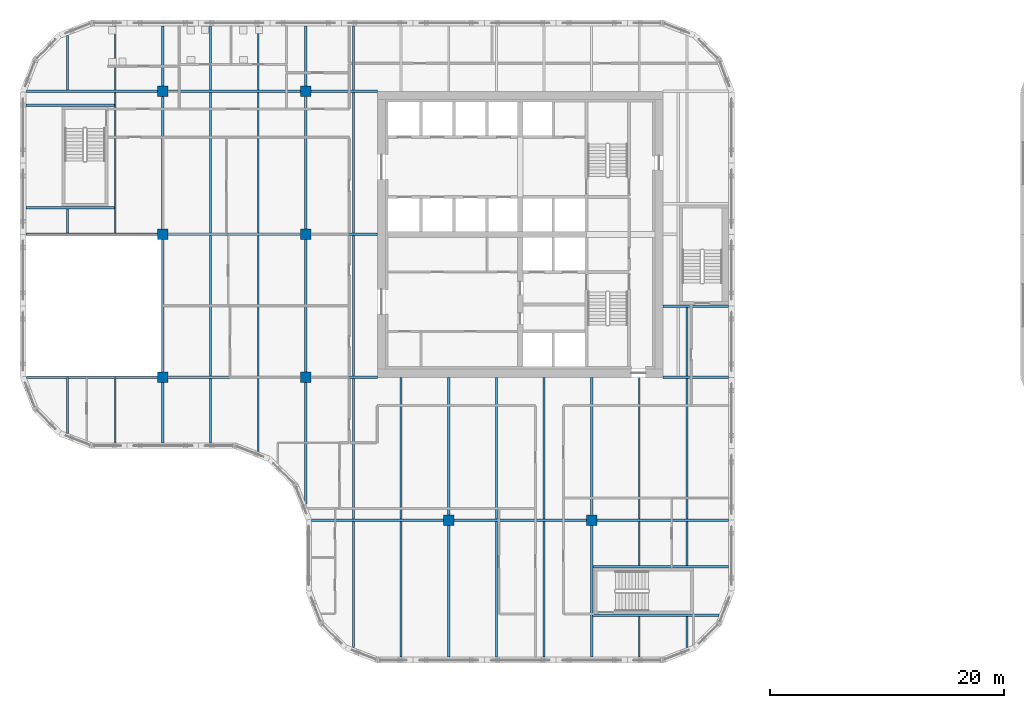
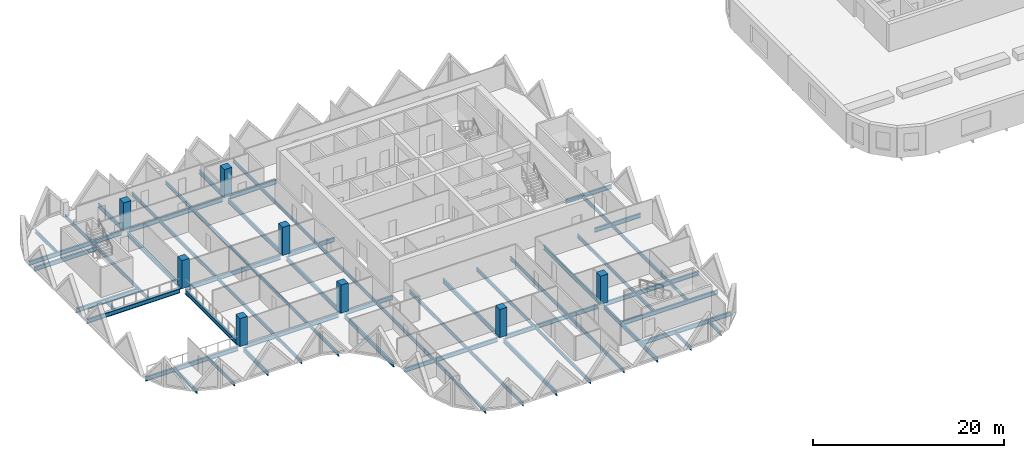
# One storey, part 1 of 17: 62 beams, 8 columns.
"""IFC4 building model written with IfcOpenShell, lengths in metres."""

from ifc_helpers import new_model, si_unit, direction, frame, origin, origin_2d, place, context, subcontext, project, spatial, rectangle, i_section, extrude, material, material_profile, profile_set, type_object, element, save


model = new_model("IFC4")

# Units and contexts
model_context = context("Model", 3, precision=1e-05, world=origin(), true_north=direction((0.0, 1.0)))
body_context = subcontext(model_context, "Body", "Model", "MODEL_VIEW")
ifc_project = project(units=[si_unit("LENGTHUNIT", "METRE"), si_unit("AREAUNIT", "SQUARE_METRE"), si_unit("VOLUMEUNIT", "CUBIC_METRE"), si_unit("PLANEANGLEUNIT", "RADIAN"), si_unit("MASSUNIT", "GRAM", prefix="KILO")], contexts=[model_context])

# Site, building, storey
site_placement = place(None, origin())
site = spatial("IfcSite", under=ifc_project, at=site_placement, CompositionType="ELEMENT")
building_placement = place(site_placement, origin())
building = spatial("IfcBuilding", under=site, at=building_placement, Name="Tessera Gate Towers", CompositionType="ELEMENT")
storey_placement = place(building_placement, frame((0.0, 0.0, 112.60009765625)))
storey = spatial("IfcBuildingStorey", under=building, at=storey_placement, Name="L27", CompositionType="ELEMENT", Elevation=112.60009765625)

# Columns
ifc_material_1 = material(Name="Concrete C70/85", Category="concrete")
ifc_material_profile_1 = material_profile(ifc_material_1, rectangle(XDim=0.89990234375, YDim=0.89990234375, at=origin_2d()), Name="RC 900x900")
ifc_profile_set_1 = profile_set([ifc_material_profile_1], Name="Concrete C70/85")
column_type = type_object("IfcColumnType", Name="COLUMN RC 900x900", PredefinedType="COLUMN", material=ifc_profile_set_1)
for number, where, z_axis, x_axis, name in (
    (1, (12.199951171875, 24.39990234375, 0.0), (0.0, 0.0, 1.0), (1.0, 0.0, 0.0), "T1-COL-2C-L27"),
    (2, (12.199951171875, 36.60009765625, 0.0), (0.0, 0.0, 1.0), (1.0, 0.0, 0.0), "T1-COL-2D-L27"),
    (3, (12.199951171875, 48.800048828125, 0.0), (0.0, 0.0, 1.0), (1.0, 0.0, 0.0), "T1-COL-2E-L27"),
    (4, (24.39990234375, 24.39990234375, 0.0), (0.0, 0.0, 1.0), (1.0, 0.0, 0.0), "T1-COL-3C-L27"),
    (5, (24.39990234375, 36.60009765625, 0.0), (0.0, 0.0, 1.0), (1.0, 0.0, 0.0), "T1-COL-3D-L27"),
    (6, (24.39990234375, 48.800048828125, 0.0), (0.0, 0.0, 1.0), (1.0, 0.0, 0.0), "T1-COL-3E-L27"),
    (7, (36.60009765625, 12.199951171875, 0.0), (0.0, 0.0, 1.0), (1.0, 0.0, 0.0), "T1-COL-4B-L27"),
    (8, (48.800048828125, 12.199951171875, 0.0), (0.0, 0.0, 1.0), (1.0, 0.0, 0.0), "T1-COL-5B-L27"),
):
    element("IfcColumn", number, at=place(storey_placement, frame(where, z_axis=z_axis, x_axis=x_axis)), inside=storey, type_object=column_type, Name=name, PredefinedType="COLUMN", context=body_context, shape_type="SweptSolid", body=[
        extrude(rectangle(XDim=0.89990234375, YDim=0.89990234375, at=origin_2d()), origin(), (0.0, 0.0, 1.0), 3.599853515625),
    ])

# Beams
ifc_material_2 = material(Name="Steel 350W", Category="steel")
ifc_material_profile_2 = material_profile(ifc_material_2, i_section(OverallWidth=0.208984375, OverallDepth=0.532958984375, WebThickness=0.01025390625, FlangeThickness=0.015625, at=origin_2d()), Name="W530x92")
ifc_profile_set_2 = profile_set([ifc_material_profile_2], Name="Steel 350W")
beam_type_1 = type_object("IfcBeamType", Name="FLOOR GIRDER W530x92", PredefinedType="BEAM", material=ifc_profile_set_2)
beam_1_placement = place(storey_placement, frame((24.89892578125, 12.199951171875, -0.466552734375), z_axis=(1.0, 0.0, 0.0), x_axis=(0.0, 1.0, 0.0)))
element("IfcBeam", 9, at=beam_1_placement, inside=storey, type_object=beam_type_1, Name="T1-GD-L27-3519", PredefinedType="BEAM", context=body_context, shape_type="SweptSolid", body=[
    extrude(i_section(OverallWidth=0.208984375, OverallDepth=0.532958984375, WebThickness=0.01025390625, FlangeThickness=0.015625, at=origin_2d()), origin(), (0.0, 0.0, 1.0), 11.2509765625),
])
beam_2_placement = place(storey_placement, frame((37.050048828125, 12.199951171875, -0.466552734375), z_axis=(1.0, 0.0, 0.0), x_axis=(0.0, 1.0, 0.0)))
element("IfcBeam", 10, at=beam_2_placement, inside=storey, type_object=beam_type_1, Name="T1-GD-L27-3520", PredefinedType="BEAM", context=body_context, shape_type="SweptSolid", body=[
    extrude(i_section(OverallWidth=0.208984375, OverallDepth=0.532958984375, WebThickness=0.01025390625, FlangeThickness=0.015625, at=origin_2d()), origin(), (0.0, 0.0, 1.0), 11.300048828125),
])
beam_3_placement = place(storey_placement, frame((49.25, 12.199951171875, -0.466552734375), z_axis=(1.0, 0.0, 0.0), x_axis=(0.0, 1.0, 0.0)))
element("IfcBeam", 11, at=beam_3_placement, inside=storey, type_object=beam_type_1, Name="T1-GD-L27-3521", PredefinedType="BEAM", context=body_context, shape_type="SweptSolid", body=[
    extrude(i_section(OverallWidth=0.208984375, OverallDepth=0.532958984375, WebThickness=0.01025390625, FlangeThickness=0.015625, at=origin_2d()), origin(), (0.0, 0.0, 1.0), 11.2509765625),
])
beam_4_placement = place(storey_placement, frame((0.534912109375, 24.39990234375, -0.466552734375), z_axis=(1.0, 0.0, 0.0), x_axis=(0.0, 1.0, 0.0)))
element("IfcBeam", 12, at=beam_4_placement, inside=storey, type_object=beam_type_1, Name="T1-GD-L27-3522", PredefinedType="BEAM", context=body_context, shape_type="SweptSolid", body=[
    extrude(i_section(OverallWidth=0.208984375, OverallDepth=0.532958984375, WebThickness=0.01025390625, FlangeThickness=0.015625, at=origin_2d()), origin(), (0.0, 0.0, 1.0), 11.215087890625),
])
beam_5_placement = place(storey_placement, frame((12.64990234375, 24.39990234375, -0.466552734375), z_axis=(1.0, 0.0, 0.0), x_axis=(0.0, 1.0, 0.0)))
element("IfcBeam", 13, at=beam_5_placement, inside=storey, type_object=beam_type_1, Name="T1-GD-L27-3523", PredefinedType="BEAM", context=body_context, shape_type="SweptSolid", body=[
    extrude(i_section(OverallWidth=0.208984375, OverallDepth=0.532958984375, WebThickness=0.01025390625, FlangeThickness=0.015625, at=origin_2d()), origin(), (0.0, 0.0, 1.0), 11.300048828125),
])
beam_6_placement = place(storey_placement, frame((24.85009765625, 24.39990234375, -0.466552734375), z_axis=(1.0, 0.0, 0.0), x_axis=(0.0, 1.0, 0.0)))
element("IfcBeam", 14, at=beam_6_placement, inside=storey, type_object=beam_type_1, Name="T1-GD-L27-3524", PredefinedType="BEAM", context=body_context, shape_type="SweptSolid", body=[
    extrude(i_section(OverallWidth=0.208984375, OverallDepth=0.532958984375, WebThickness=0.01025390625, FlangeThickness=0.015625, at=origin_2d()), origin(), (0.0, 0.0, 1.0), 5.64892578125),
])
beam_7_placement = place(storey_placement, frame((54.90087890625, 24.39990234375, -0.466552734375), z_axis=(1.0, 0.0, 0.0), x_axis=(0.0, 1.0, 0.0)))
element("IfcBeam", 15, at=beam_7_placement, inside=storey, type_object=beam_type_1, Name="T1-GD-L27-3525", PredefinedType="BEAM", context=body_context, shape_type="SweptSolid", body=[
    extrude(i_section(OverallWidth=0.208984375, OverallDepth=0.532958984375, WebThickness=0.01025390625, FlangeThickness=0.015625, at=origin_2d()), origin(), (0.0, 0.0, 1.0), 5.60009765625),
])
beam_8_placement = place(storey_placement, frame((0.4990234375, 36.60009765625, -0.466552734375), z_axis=(1.0, 0.0, 0.0), x_axis=(0.0, 1.0, 0.0)))
element("IfcBeam", 16, at=beam_8_placement, inside=storey, type_object=beam_type_1, Name="T1-GD-L27-3526", PredefinedType="BEAM", context=body_context, shape_type="SweptSolid", body=[
    extrude(i_section(OverallWidth=0.208984375, OverallDepth=0.532958984375, WebThickness=0.01025390625, FlangeThickness=0.015625, at=origin_2d()), origin(), (0.0, 0.0, 1.0), 11.2509765625),
])
beam_9_placement = place(storey_placement, frame((12.64990234375, 36.60009765625, -0.466552734375), z_axis=(1.0, 0.0, 0.0), x_axis=(0.0, 1.0, 0.0)))
element("IfcBeam", 17, at=beam_9_placement, inside=storey, type_object=beam_type_1, Name="T1-GD-L27-3527", PredefinedType="BEAM", context=body_context, shape_type="SweptSolid", body=[
    extrude(i_section(OverallWidth=0.208984375, OverallDepth=0.532958984375, WebThickness=0.01025390625, FlangeThickness=0.015625, at=origin_2d()), origin(), (0.0, 0.0, 1.0), 11.300048828125),
])
beam_10_placement = place(storey_placement, frame((24.85009765625, 36.60009765625, -0.466552734375), z_axis=(1.0, 0.0, 0.0), x_axis=(0.0, 1.0, 0.0)))
element("IfcBeam", 18, at=beam_10_placement, inside=storey, type_object=beam_type_1, Name="T1-GD-L27-3528", PredefinedType="BEAM", context=body_context, shape_type="SweptSolid", body=[
    extrude(i_section(OverallWidth=0.208984375, OverallDepth=0.532958984375, WebThickness=0.01025390625, FlangeThickness=0.015625, at=origin_2d()), origin(), (0.0, 0.0, 1.0), 5.65087890625),
])
beam_11_placement = place(storey_placement, frame((0.534912109375, 48.800048828125, -0.466552734375), z_axis=(1.0, 0.0, 0.0), x_axis=(0.0, 1.0, 0.0)))
element("IfcBeam", 19, at=beam_11_placement, inside=storey, type_object=beam_type_1, Name="T1-GD-L27-3530", PredefinedType="BEAM", context=body_context, shape_type="SweptSolid", body=[
    extrude(i_section(OverallWidth=0.208984375, OverallDepth=0.532958984375, WebThickness=0.01025390625, FlangeThickness=0.015625, at=origin_2d()), origin(), (0.0, 0.0, 1.0), 11.215087890625),
])
beam_12_placement = place(storey_placement, frame((12.64990234375, 48.800048828125, -0.466552734375), z_axis=(1.0, 0.0, 0.0), x_axis=(0.0, 1.0, 0.0)))
element("IfcBeam", 20, at=beam_12_placement, inside=storey, type_object=beam_type_1, Name="T1-GD-L27-3531", PredefinedType="BEAM", context=body_context, shape_type="SweptSolid", body=[
    extrude(i_section(OverallWidth=0.208984375, OverallDepth=0.532958984375, WebThickness=0.01025390625, FlangeThickness=0.015625, at=origin_2d()), origin(), (0.0, 0.0, 1.0), 11.300048828125),
])
beam_13_placement = place(storey_placement, frame((24.85009765625, 48.800048828125, -0.466552734375), z_axis=(1.0, 0.0, 0.0), x_axis=(0.0, 1.0, 0.0)))
element("IfcBeam", 21, at=beam_13_placement, inside=storey, type_object=beam_type_1, Name="T1-GD-L27-3532", PredefinedType="BEAM", context=body_context, shape_type="SweptSolid", body=[
    extrude(i_section(OverallWidth=0.208984375, OverallDepth=0.532958984375, WebThickness=0.01025390625, FlangeThickness=0.015625, at=origin_2d()), origin(), (0.0, 0.0, 1.0), 5.64892578125),
])
beam_14_placement = place(storey_placement, frame((12.199951171875, 18.799072265625, -0.466552734375), z_axis=(0.0, 1.0, 0.0), x_axis=(-1.0, 0.0, 0.0)))
element("IfcBeam", 22, at=beam_14_placement, inside=storey, type_object=beam_type_1, Name="T1-GD-L27-3534", PredefinedType="BEAM", context=body_context, shape_type="SweptSolid", body=[
    extrude(i_section(OverallWidth=0.208984375, OverallDepth=0.532958984375, WebThickness=0.01025390625, FlangeThickness=0.015625, at=origin_2d()), origin(), (0.0, 0.0, 1.0), 5.15087890625),
])
beam_15_placement = place(storey_placement, frame((12.199951171875, 24.85009765625, -0.466552734375), z_axis=(0.0, 1.0, 0.0), x_axis=(-1.0, 0.0, 0.0)))
element("IfcBeam", 23, at=beam_15_placement, inside=storey, type_object=beam_type_1, Name="T1-GD-L27-3535", PredefinedType="BEAM", context=body_context, shape_type="SweptSolid", body=[
    extrude(i_section(OverallWidth=0.208984375, OverallDepth=0.532958984375, WebThickness=0.01025390625, FlangeThickness=0.015625, at=origin_2d()), origin(), (0.0, 0.0, 1.0), 11.2998046875),
])
beam_16_placement = place(storey_placement, frame((12.199951171875, 37.050048828125, -0.466552734375), z_axis=(0.0, 1.0, 0.0), x_axis=(-1.0, 0.0, 0.0)))
element("IfcBeam", 24, at=beam_16_placement, inside=storey, type_object=beam_type_1, Name="T1-GD-L27-3536", PredefinedType="BEAM", context=body_context, shape_type="SweptSolid", body=[
    extrude(i_section(OverallWidth=0.208984375, OverallDepth=0.532958984375, WebThickness=0.01025390625, FlangeThickness=0.015625, at=origin_2d()), origin(), (0.0, 0.0, 1.0), 11.300048828125),
])
beam_17_placement = place(storey_placement, frame((12.199951171875, 49.25, -0.466552734375), z_axis=(0.0, 1.0, 0.0), x_axis=(-1.0, 0.0, 0.0)))
element("IfcBeam", 25, at=beam_17_placement, inside=storey, type_object=beam_type_1, Name="T1-GD-L27-3537", PredefinedType="BEAM", context=body_context, shape_type="SweptSolid", body=[
    extrude(i_section(OverallWidth=0.208984375, OverallDepth=0.532958984375, WebThickness=0.01025390625, FlangeThickness=0.015625, at=origin_2d()), origin(), (0.0, 0.0, 1.0), 5.15087890625),
])
beam_18_placement = place(storey_placement, frame((24.39990234375, 13.58642578125, -0.466552734375), z_axis=(0.0, 1.0, 0.0), x_axis=(-1.0, 0.0, 0.0)))
element("IfcBeam", 26, at=beam_18_placement, inside=storey, type_object=beam_type_1, Name="T1-GD-L27-3538", PredefinedType="BEAM", context=body_context, shape_type="SweptSolid", body=[
    extrude(i_section(OverallWidth=0.208984375, OverallDepth=0.532958984375, WebThickness=0.01025390625, FlangeThickness=0.015625, at=origin_2d()), origin(), (0.0, 0.0, 1.0), 10.363525390625),
])
beam_19_placement = place(storey_placement, frame((24.39990234375, 24.85009765625, -0.466552734375), z_axis=(0.0, 1.0, 0.0), x_axis=(-1.0, 0.0, 0.0)))
element("IfcBeam", 27, at=beam_19_placement, inside=storey, type_object=beam_type_1, Name="T1-GD-L27-3539", PredefinedType="BEAM", context=body_context, shape_type="SweptSolid", body=[
    extrude(i_section(OverallWidth=0.208984375, OverallDepth=0.532958984375, WebThickness=0.01025390625, FlangeThickness=0.015625, at=origin_2d()), origin(), (0.0, 0.0, 1.0), 11.2998046875),
])
beam_20_placement = place(storey_placement, frame((24.39990234375, 37.050048828125, -0.466552734375), z_axis=(0.0, 1.0, 0.0), x_axis=(-1.0, 0.0, 0.0)))
element("IfcBeam", 28, at=beam_20_placement, inside=storey, type_object=beam_type_1, Name="T1-GD-L27-3540", PredefinedType="BEAM", context=body_context, shape_type="SweptSolid", body=[
    extrude(i_section(OverallWidth=0.208984375, OverallDepth=0.532958984375, WebThickness=0.01025390625, FlangeThickness=0.015625, at=origin_2d()), origin(), (0.0, 0.0, 1.0), 11.300048828125),
])
beam_21_placement = place(storey_placement, frame((24.39990234375, 49.25, -0.466552734375), z_axis=(0.0, 1.0, 0.0), x_axis=(-1.0, 0.0, 0.0)))
element("IfcBeam", 29, at=beam_21_placement, inside=storey, type_object=beam_type_1, Name="T1-GD-L27-3541", PredefinedType="BEAM", context=body_context, shape_type="SweptSolid", body=[
    extrude(i_section(OverallWidth=0.208984375, OverallDepth=0.532958984375, WebThickness=0.01025390625, FlangeThickness=0.015625, at=origin_2d()), origin(), (0.0, 0.0, 1.0), 5.15087890625),
])
beam_22_placement = place(storey_placement, frame((36.60009765625, 0.4990234375, -0.466552734375), z_axis=(0.0, 1.0, 0.0), x_axis=(-1.0, 0.0, 0.0)))
element("IfcBeam", 30, at=beam_22_placement, inside=storey, type_object=beam_type_1, Name="T1-GD-L27-3542", PredefinedType="BEAM", context=body_context, shape_type="SweptSolid", body=[
    extrude(i_section(OverallWidth=0.208984375, OverallDepth=0.532958984375, WebThickness=0.01025390625, FlangeThickness=0.015625, at=origin_2d()), origin(), (0.0, 0.0, 1.0), 11.2509765625),
])
beam_23_placement = place(storey_placement, frame((36.60009765625, 12.64990234375, -0.466552734375), z_axis=(0.0, 1.0, 0.0), x_axis=(-1.0, 0.0, 0.0)))
element("IfcBeam", 31, at=beam_23_placement, inside=storey, type_object=beam_type_1, Name="T1-GD-L27-3543", PredefinedType="BEAM", context=body_context, shape_type="SweptSolid", body=[
    extrude(i_section(OverallWidth=0.208984375, OverallDepth=0.532958984375, WebThickness=0.01025390625, FlangeThickness=0.015625, at=origin_2d()), origin(), (0.0, 0.0, 1.0), 11.75),
])
beam_24_placement = place(storey_placement, frame((48.800048828125, 0.4990234375, -0.466552734375), z_axis=(0.0, 1.0, 0.0), x_axis=(-1.0, 0.0, 0.0)))
element("IfcBeam", 32, at=beam_24_placement, inside=storey, type_object=beam_type_1, Name="T1-GD-L27-3544", PredefinedType="BEAM", context=body_context, shape_type="SweptSolid", body=[
    extrude(i_section(OverallWidth=0.208984375, OverallDepth=0.532958984375, WebThickness=0.01025390625, FlangeThickness=0.015625, at=origin_2d()), origin(), (0.0, 0.0, 1.0), 11.2509765625),
])
beam_25_placement = place(storey_placement, frame((48.800048828125, 12.64990234375, -0.466552734375), z_axis=(0.0, 1.0, 0.0), x_axis=(-1.0, 0.0, 0.0)))
element("IfcBeam", 33, at=beam_25_placement, inside=storey, type_object=beam_type_1, Name="T1-GD-L27-3545", PredefinedType="BEAM", context=body_context, shape_type="SweptSolid", body=[
    extrude(i_section(OverallWidth=0.208984375, OverallDepth=0.532958984375, WebThickness=0.01025390625, FlangeThickness=0.015625, at=origin_2d()), origin(), (0.0, 0.0, 1.0), 11.75),
])
for number, where, z_axis, x_axis, name in (
    (34, (0.4990234375, 38.8798828125, -0.466552734375), (1.0, 0.0, 0.0), (0.0, 1.0, 0.0), "T1-GD-L27-3546"),
    (35, (0.4990234375, 47.6201171875, -0.466552734375), (1.0, 0.0, 0.0), (0.0, 1.0, 0.0), "T1-GD-L27-3547"),
):
    element("IfcBeam", number, at=place(storey_placement, frame(where, z_axis=z_axis, x_axis=x_axis)), inside=storey, type_object=beam_type_1, Name=name, PredefinedType="BEAM", context=body_context, shape_type="SweptSolid", body=[
        extrude(i_section(OverallWidth=0.208984375, OverallDepth=0.532958984375, WebThickness=0.01025390625, FlangeThickness=0.015625, at=origin_2d()), origin(), (0.0, 0.0, 1.0), 7.557861328125),
    ])
beam_26_placement = place(storey_placement, frame((48.87646484375, 4.080078125, -0.466552734375), z_axis=(1.0, 0.0, 0.0), x_axis=(0.0, 1.0, 0.0)))
element("IfcBeam", 36, at=beam_26_placement, inside=storey, type_object=beam_type_1, Name="T1-GD-L27-3548", PredefinedType="BEAM", context=body_context, shape_type="SweptSolid", body=[
    extrude(i_section(OverallWidth=0.208984375, OverallDepth=0.532958984375, WebThickness=0.01025390625, FlangeThickness=0.015625, at=origin_2d()), origin(), (0.0, 0.0, 1.0), 10.809326171875),
])
beam_27_placement = place(storey_placement, frame((48.87646484375, 8.219970703125, -0.466552734375), z_axis=(1.0, 0.0, 0.0), x_axis=(0.0, 1.0, 0.0)))
element("IfcBeam", 37, at=beam_27_placement, inside=storey, type_object=beam_type_1, Name="T1-GD-L27-3549", PredefinedType="BEAM", context=body_context, shape_type="SweptSolid", body=[
    extrude(i_section(OverallWidth=0.208984375, OverallDepth=0.532958984375, WebThickness=0.01025390625, FlangeThickness=0.015625, at=origin_2d()), origin(), (0.0, 0.0, 1.0), 11.62451171875),
])
beam_28_placement = place(storey_placement, frame((54.89892578125, 30.47998046875, -0.466552734375), z_axis=(1.0, 0.0, 0.0), x_axis=(0.0, 1.0, 0.0)))
element("IfcBeam", 38, at=beam_28_placement, inside=storey, type_object=beam_type_1, Name="T1-GD-L27-3550", PredefinedType="BEAM", context=body_context, shape_type="SweptSolid", body=[
    extrude(i_section(OverallWidth=0.208984375, OverallDepth=0.532958984375, WebThickness=0.01025390625, FlangeThickness=0.015625, at=origin_2d()), origin(), (0.0, 0.0, 1.0), 5.60205078125),
])
ifc_material_3 = material(Name="Steel 350W", Category="steel")
ifc_material_profile_3 = material_profile(ifc_material_3, i_section(OverallWidth=0.153076171875, OverallDepth=0.455078125, WebThickness=0.008056640625, FlangeThickness=0.01318359375, at=origin_2d()), Name="W460x60")
ifc_profile_set_3 = profile_set([ifc_material_profile_3], Name="Steel 350W")
beam_type_2 = type_object("IfcBeamType", Name="FLOOR SECONDARY W460x60", PredefinedType="BEAM", material=ifc_profile_set_3)
beam_29_placement = place(storey_placement, frame((4.066650390625, 19.620361328125, -0.427490234375), z_axis=(0.0, 1.0, 0.0), x_axis=(-1.0, 0.0, 0.0)))
element("IfcBeam", 39, at=beam_29_placement, inside=storey, type_object=beam_type_2, Name="T1-BM-L27-3553", PredefinedType="BEAM", context=body_context, shape_type="SweptSolid", body=[
    extrude(i_section(OverallWidth=0.153076171875, OverallDepth=0.455078125, WebThickness=0.008056640625, FlangeThickness=0.01318359375, at=origin_2d()), origin(), (0.0, 0.0, 1.0), 4.779541015625),
])
beam_30_placement = place(storey_placement, frame((4.066650390625, 36.70458984375, -0.427490234375), z_axis=(0.0, 1.0, 0.0), x_axis=(-1.0, 0.0, 0.0)))
element("IfcBeam", 40, at=beam_30_placement, inside=storey, type_object=beam_type_2, Name="T1-BM-L27-3554", PredefinedType="BEAM", context=body_context, shape_type="SweptSolid", body=[
    extrude(i_section(OverallWidth=0.153076171875, OverallDepth=0.455078125, WebThickness=0.008056640625, FlangeThickness=0.01318359375, at=origin_2d()), origin(), (0.0, 0.0, 1.0), 2.07080078125),
])
beam_31_placement = place(storey_placement, frame((4.066650390625, 48.904541015625, -0.427490234375), z_axis=(0.0, 1.0, 0.0), x_axis=(-1.0, 0.0, 0.0)))
element("IfcBeam", 41, at=beam_31_placement, inside=storey, type_object=beam_type_2, Name="T1-BM-L27-3555", PredefinedType="BEAM", context=body_context, shape_type="SweptSolid", body=[
    extrude(i_section(OverallWidth=0.153076171875, OverallDepth=0.455078125, WebThickness=0.008056640625, FlangeThickness=0.01318359375, at=origin_2d()), origin(), (0.0, 0.0, 1.0), 4.675048828125),
])
beam_32_placement = place(storey_placement, frame((8.13330078125, 18.800048828125, -0.427490234375), z_axis=(0.0, 1.0, 0.0), x_axis=(-1.0, 0.0, 0.0)))
element("IfcBeam", 42, at=beam_32_placement, inside=storey, type_object=beam_type_2, Name="T1-BM-L27-3556", PredefinedType="BEAM", context=body_context, shape_type="SweptSolid", body=[
    extrude(i_section(OverallWidth=0.153076171875, OverallDepth=0.455078125, WebThickness=0.008056640625, FlangeThickness=0.01318359375, at=origin_2d()), origin(), (0.0, 0.0, 1.0), 5.599853515625),
])
beam_33_placement = place(storey_placement, frame((8.13330078125, 36.70458984375, -0.427490234375), z_axis=(0.0, 1.0, 0.0), x_axis=(-1.0, 0.0, 0.0)))
element("IfcBeam", 43, at=beam_33_placement, inside=storey, type_object=beam_type_2, Name="T1-BM-L27-3557", PredefinedType="BEAM", context=body_context, shape_type="SweptSolid", body=[
    extrude(i_section(OverallWidth=0.153076171875, OverallDepth=0.455078125, WebThickness=0.008056640625, FlangeThickness=0.01318359375, at=origin_2d()), origin(), (0.0, 0.0, 1.0), 11.990966796875),
])
for number, where, z_axis, x_axis, name in (
    (44, (8.13330078125, 48.904541015625, -0.427490234375), (0.0, 1.0, 0.0), (-1.0, 0.0, 0.0), "T1-BM-L27-3558"),
    (45, (16.2666015625, 18.800048828125, -0.427490234375), (0.0, 1.0, 0.0), (-1.0, 0.0, 0.0), "T1-BM-L27-3559"),
):
    element("IfcBeam", number, at=place(storey_placement, frame(where, z_axis=z_axis, x_axis=x_axis)), inside=storey, type_object=beam_type_2, Name=name, PredefinedType="BEAM", context=body_context, shape_type="SweptSolid", body=[
        extrude(i_section(OverallWidth=0.153076171875, OverallDepth=0.455078125, WebThickness=0.008056640625, FlangeThickness=0.01318359375, at=origin_2d()), origin(), (0.0, 0.0, 1.0), 5.495361328125),
    ])
beam_34_placement = place(storey_placement, frame((16.2666015625, 24.50439453125, -0.427490234375), z_axis=(0.0, 1.0, 0.0), x_axis=(-1.0, 0.0, 0.0)))
element("IfcBeam", 46, at=beam_34_placement, inside=storey, type_object=beam_type_2, Name="T1-BM-L27-3560", PredefinedType="BEAM", context=body_context, shape_type="SweptSolid", body=[
    extrude(i_section(OverallWidth=0.153076171875, OverallDepth=0.455078125, WebThickness=0.008056640625, FlangeThickness=0.01318359375, at=origin_2d()), origin(), (0.0, 0.0, 1.0), 11.9912109375),
])
beam_35_placement = place(storey_placement, frame((16.2666015625, 36.70458984375, -0.427490234375), z_axis=(0.0, 1.0, 0.0), x_axis=(-1.0, 0.0, 0.0)))
element("IfcBeam", 47, at=beam_35_placement, inside=storey, type_object=beam_type_2, Name="T1-BM-L27-3561", PredefinedType="BEAM", context=body_context, shape_type="SweptSolid", body=[
    extrude(i_section(OverallWidth=0.153076171875, OverallDepth=0.455078125, WebThickness=0.008056640625, FlangeThickness=0.01318359375, at=origin_2d()), origin(), (0.0, 0.0, 1.0), 11.990966796875),
])
beam_36_placement = place(storey_placement, frame((16.2666015625, 48.904541015625, -0.427490234375), z_axis=(0.0, 1.0, 0.0), x_axis=(-1.0, 0.0, 0.0)))
element("IfcBeam", 48, at=beam_36_placement, inside=storey, type_object=beam_type_2, Name="T1-BM-L27-3562", PredefinedType="BEAM", context=body_context, shape_type="SweptSolid", body=[
    extrude(i_section(OverallWidth=0.153076171875, OverallDepth=0.455078125, WebThickness=0.008056640625, FlangeThickness=0.01318359375, at=origin_2d()), origin(), (0.0, 0.0, 1.0), 5.495361328125),
])
beam_37_placement = place(storey_placement, frame((20.333251953125, 18.051513671875, -0.427490234375), z_axis=(0.0, 1.0, 0.0), x_axis=(-1.0, 0.0, 0.0)))
element("IfcBeam", 49, at=beam_37_placement, inside=storey, type_object=beam_type_2, Name="T1-BM-L27-3563", PredefinedType="BEAM", context=body_context, shape_type="SweptSolid", body=[
    extrude(i_section(OverallWidth=0.153076171875, OverallDepth=0.455078125, WebThickness=0.008056640625, FlangeThickness=0.01318359375, at=origin_2d()), origin(), (0.0, 0.0, 1.0), 6.243896484375),
])
beam_38_placement = place(storey_placement, frame((20.333251953125, 24.50439453125, -0.427490234375), z_axis=(0.0, 1.0, 0.0), x_axis=(-1.0, 0.0, 0.0)))
element("IfcBeam", 50, at=beam_38_placement, inside=storey, type_object=beam_type_2, Name="T1-BM-L27-3564", PredefinedType="BEAM", context=body_context, shape_type="SweptSolid", body=[
    extrude(i_section(OverallWidth=0.153076171875, OverallDepth=0.455078125, WebThickness=0.008056640625, FlangeThickness=0.01318359375, at=origin_2d()), origin(), (0.0, 0.0, 1.0), 11.9912109375),
])
beam_39_placement = place(storey_placement, frame((20.333251953125, 36.70458984375, -0.427490234375), z_axis=(0.0, 1.0, 0.0), x_axis=(-1.0, 0.0, 0.0)))
element("IfcBeam", 51, at=beam_39_placement, inside=storey, type_object=beam_type_2, Name="T1-BM-L27-3565", PredefinedType="BEAM", context=body_context, shape_type="SweptSolid", body=[
    extrude(i_section(OverallWidth=0.153076171875, OverallDepth=0.455078125, WebThickness=0.008056640625, FlangeThickness=0.01318359375, at=origin_2d()), origin(), (0.0, 0.0, 1.0), 11.990966796875),
])
beam_40_placement = place(storey_placement, frame((20.333251953125, 48.904541015625, -0.427490234375), z_axis=(0.0, 1.0, 0.0), x_axis=(-1.0, 0.0, 0.0)))
element("IfcBeam", 52, at=beam_40_placement, inside=storey, type_object=beam_type_2, Name="T1-BM-L27-3566", PredefinedType="BEAM", context=body_context, shape_type="SweptSolid", body=[
    extrude(i_section(OverallWidth=0.153076171875, OverallDepth=0.455078125, WebThickness=0.008056640625, FlangeThickness=0.01318359375, at=origin_2d()), origin(), (0.0, 0.0, 1.0), 5.495361328125),
])
beam_41_placement = place(storey_placement, frame((28.466796875, 1.3203125, -0.427490234375), z_axis=(0.0, 1.0, 0.0), x_axis=(-1.0, 0.0, 0.0)))
element("IfcBeam", 53, at=beam_41_placement, inside=storey, type_object=beam_type_2, Name="T1-BM-L27-3567", PredefinedType="BEAM", context=body_context, shape_type="SweptSolid", body=[
    extrude(i_section(OverallWidth=0.153076171875, OverallDepth=0.455078125, WebThickness=0.008056640625, FlangeThickness=0.01318359375, at=origin_2d()), origin(), (0.0, 0.0, 1.0), 10.775146484375),
])
beam_42_placement = place(storey_placement, frame((28.466796875, 12.304443359375, -0.427490234375), z_axis=(0.0, 1.0, 0.0), x_axis=(-1.0, 0.0, 0.0)))
element("IfcBeam", 54, at=beam_42_placement, inside=storey, type_object=beam_type_2, Name="T1-BM-L27-3568", PredefinedType="BEAM", context=body_context, shape_type="SweptSolid", body=[
    extrude(i_section(OverallWidth=0.153076171875, OverallDepth=0.455078125, WebThickness=0.008056640625, FlangeThickness=0.01318359375, at=origin_2d()), origin(), (0.0, 0.0, 1.0), 11.990966796875),
])
beam_43_placement = place(storey_placement, frame((28.466796875, 24.50439453125, -0.427490234375), z_axis=(0.0, 1.0, 0.0), x_axis=(-1.0, 0.0, 0.0)))
element("IfcBeam", 55, at=beam_43_placement, inside=storey, type_object=beam_type_2, Name="T1-BM-L27-3569", PredefinedType="BEAM", context=body_context, shape_type="SweptSolid", body=[
    extrude(i_section(OverallWidth=0.153076171875, OverallDepth=0.455078125, WebThickness=0.008056640625, FlangeThickness=0.01318359375, at=origin_2d()), origin(), (0.0, 0.0, 1.0), 11.9912109375),
])
beam_44_placement = place(storey_placement, frame((28.466796875, 36.70458984375, -0.427490234375), z_axis=(0.0, 1.0, 0.0), x_axis=(-1.0, 0.0, 0.0)))
element("IfcBeam", 56, at=beam_44_placement, inside=storey, type_object=beam_type_2, Name="T1-BM-L27-3570", PredefinedType="BEAM", context=body_context, shape_type="SweptSolid", body=[
    extrude(i_section(OverallWidth=0.153076171875, OverallDepth=0.455078125, WebThickness=0.008056640625, FlangeThickness=0.01318359375, at=origin_2d()), origin(), (0.0, 0.0, 1.0), 11.990966796875),
])
beam_45_placement = place(storey_placement, frame((28.466796875, 48.904541015625, -0.427490234375), z_axis=(0.0, 1.0, 0.0), x_axis=(-1.0, 0.0, 0.0)))
element("IfcBeam", 57, at=beam_45_placement, inside=storey, type_object=beam_type_2, Name="T1-BM-L27-3571", PredefinedType="BEAM", context=body_context, shape_type="SweptSolid", body=[
    extrude(i_section(OverallWidth=0.153076171875, OverallDepth=0.455078125, WebThickness=0.008056640625, FlangeThickness=0.01318359375, at=origin_2d()), origin(), (0.0, 0.0, 1.0), 5.495361328125),
])
beam_46_placement = place(storey_placement, frame((32.533203125, 0.5, -0.427490234375), z_axis=(0.0, 1.0, 0.0), x_axis=(-1.0, 0.0, 0.0)))
element("IfcBeam", 58, at=beam_46_placement, inside=storey, type_object=beam_type_2, Name="T1-BM-L27-3572", PredefinedType="BEAM", context=body_context, shape_type="SweptSolid", body=[
    extrude(i_section(OverallWidth=0.153076171875, OverallDepth=0.455078125, WebThickness=0.008056640625, FlangeThickness=0.01318359375, at=origin_2d()), origin(), (0.0, 0.0, 1.0), 11.595458984375),
])
beam_47_placement = place(storey_placement, frame((32.533203125, 12.304443359375, -0.427490234375), z_axis=(0.0, 1.0, 0.0), x_axis=(-1.0, 0.0, 0.0)))
element("IfcBeam", 59, at=beam_47_placement, inside=storey, type_object=beam_type_2, Name="T1-BM-L27-3573", PredefinedType="BEAM", context=body_context, shape_type="SweptSolid", body=[
    extrude(i_section(OverallWidth=0.153076171875, OverallDepth=0.455078125, WebThickness=0.008056640625, FlangeThickness=0.01318359375, at=origin_2d()), origin(), (0.0, 0.0, 1.0), 12.095458984375),
])
beam_48_placement = place(storey_placement, frame((40.666748046875, 0.5, -0.427490234375), z_axis=(0.0, 1.0, 0.0), x_axis=(-1.0, 0.0, 0.0)))
element("IfcBeam", 60, at=beam_48_placement, inside=storey, type_object=beam_type_2, Name="T1-BM-L27-3576", PredefinedType="BEAM", context=body_context, shape_type="SweptSolid", body=[
    extrude(i_section(OverallWidth=0.153076171875, OverallDepth=0.455078125, WebThickness=0.008056640625, FlangeThickness=0.01318359375, at=origin_2d()), origin(), (0.0, 0.0, 1.0), 11.595458984375),
])
beam_49_placement = place(storey_placement, frame((40.666748046875, 12.304443359375, -0.427490234375), z_axis=(0.0, 1.0, 0.0), x_axis=(-1.0, 0.0, 0.0)))
element("IfcBeam", 61, at=beam_49_placement, inside=storey, type_object=beam_type_2, Name="T1-BM-L27-3577", PredefinedType="BEAM", context=body_context, shape_type="SweptSolid", body=[
    extrude(i_section(OverallWidth=0.153076171875, OverallDepth=0.455078125, WebThickness=0.008056640625, FlangeThickness=0.01318359375, at=origin_2d()), origin(), (0.0, 0.0, 1.0), 12.095458984375),
])
beam_50_placement = place(storey_placement, frame((44.7333984375, 0.5, -0.427490234375), z_axis=(0.0, 1.0, 0.0), x_axis=(-1.0, 0.0, 0.0)))
element("IfcBeam", 62, at=beam_50_placement, inside=storey, type_object=beam_type_2, Name="T1-BM-L27-3579", PredefinedType="BEAM", context=body_context, shape_type="SweptSolid", body=[
    extrude(i_section(OverallWidth=0.153076171875, OverallDepth=0.455078125, WebThickness=0.008056640625, FlangeThickness=0.01318359375, at=origin_2d()), origin(), (0.0, 0.0, 1.0), 11.595458984375),
])
beam_51_placement = place(storey_placement, frame((44.7333984375, 12.304443359375, -0.427490234375), z_axis=(0.0, 1.0, 0.0), x_axis=(-1.0, 0.0, 0.0)))
element("IfcBeam", 63, at=beam_51_placement, inside=storey, type_object=beam_type_2, Name="T1-BM-L27-3580", PredefinedType="BEAM", context=body_context, shape_type="SweptSolid", body=[
    extrude(i_section(OverallWidth=0.153076171875, OverallDepth=0.455078125, WebThickness=0.008056640625, FlangeThickness=0.01318359375, at=origin_2d()), origin(), (0.0, 0.0, 1.0), 12.095458984375),
])
beam_52_placement = place(storey_placement, frame((52.86669921875, 0.5, -0.427490234375), z_axis=(0.0, 1.0, 0.0), x_axis=(-1.0, 0.0, 0.0)))
element("IfcBeam", 64, at=beam_52_placement, inside=storey, type_object=beam_type_2, Name="T1-BM-L27-3583", PredefinedType="BEAM", context=body_context, shape_type="SweptSolid", body=[
    extrude(i_section(OverallWidth=0.153076171875, OverallDepth=0.455078125, WebThickness=0.008056640625, FlangeThickness=0.01318359375, at=origin_2d()), origin(), (0.0, 0.0, 1.0), 3.4755859375),
])
beam_53_placement = place(storey_placement, frame((52.86669921875, 8.324462890625, -0.427490234375), z_axis=(0.0, 1.0, 0.0), x_axis=(-1.0, 0.0, 0.0)))
element("IfcBeam", 65, at=beam_53_placement, inside=storey, type_object=beam_type_2, Name="T1-BM-L27-3584", PredefinedType="BEAM", context=body_context, shape_type="SweptSolid", body=[
    extrude(i_section(OverallWidth=0.153076171875, OverallDepth=0.455078125, WebThickness=0.008056640625, FlangeThickness=0.01318359375, at=origin_2d()), origin(), (0.0, 0.0, 1.0), 3.77099609375),
])
beam_54_placement = place(storey_placement, frame((52.86669921875, 12.304443359375, -0.427490234375), z_axis=(0.0, 1.0, 0.0), x_axis=(-1.0, 0.0, 0.0)))
element("IfcBeam", 66, at=beam_54_placement, inside=storey, type_object=beam_type_2, Name="T1-BM-L27-3585", PredefinedType="BEAM", context=body_context, shape_type="SweptSolid", body=[
    extrude(i_section(OverallWidth=0.153076171875, OverallDepth=0.455078125, WebThickness=0.008056640625, FlangeThickness=0.01318359375, at=origin_2d()), origin(), (0.0, 0.0, 1.0), 12.095458984375),
])
beam_55_placement = place(storey_placement, frame((56.933349609375, 1.3203125, -0.427490234375), z_axis=(0.0, 1.0, 0.0), x_axis=(-1.0, 0.0, 0.0)))
element("IfcBeam", 67, at=beam_55_placement, inside=storey, type_object=beam_type_2, Name="T1-BM-L27-3587", PredefinedType="BEAM", context=body_context, shape_type="SweptSolid", body=[
    extrude(i_section(OverallWidth=0.153076171875, OverallDepth=0.455078125, WebThickness=0.008056640625, FlangeThickness=0.01318359375, at=origin_2d()), origin(), (0.0, 0.0, 1.0), 2.6552734375),
])
beam_56_placement = place(storey_placement, frame((56.933349609375, 8.324462890625, -0.427490234375), z_axis=(0.0, 1.0, 0.0), x_axis=(-1.0, 0.0, 0.0)))
element("IfcBeam", 68, at=beam_56_placement, inside=storey, type_object=beam_type_2, Name="T1-BM-L27-3588", PredefinedType="BEAM", context=body_context, shape_type="SweptSolid", body=[
    extrude(i_section(OverallWidth=0.153076171875, OverallDepth=0.455078125, WebThickness=0.008056640625, FlangeThickness=0.01318359375, at=origin_2d()), origin(), (0.0, 0.0, 1.0), 3.77099609375),
])
beam_57_placement = place(storey_placement, frame((56.933349609375, 12.304443359375, -0.427490234375), z_axis=(0.0, 1.0, 0.0), x_axis=(-1.0, 0.0, 0.0)))
element("IfcBeam", 69, at=beam_57_placement, inside=storey, type_object=beam_type_2, Name="T1-BM-L27-3589", PredefinedType="BEAM", context=body_context, shape_type="SweptSolid", body=[
    extrude(i_section(OverallWidth=0.153076171875, OverallDepth=0.455078125, WebThickness=0.008056640625, FlangeThickness=0.01318359375, at=origin_2d()), origin(), (0.0, 0.0, 1.0), 11.990966796875),
])
beam_58_placement = place(storey_placement, frame((56.933349609375, 24.50439453125, -0.427490234375), z_axis=(0.0, 1.0, 0.0), x_axis=(-1.0, 0.0, 0.0)))
element("IfcBeam", 70, at=beam_58_placement, inside=storey, type_object=beam_type_2, Name="T1-BM-L27-3590", PredefinedType="BEAM", context=body_context, shape_type="SweptSolid", body=[
    extrude(i_section(OverallWidth=0.153076171875, OverallDepth=0.455078125, WebThickness=0.008056640625, FlangeThickness=0.01318359375, at=origin_2d()), origin(), (0.0, 0.0, 1.0), 5.87109375),
])

save(model, "model.ifc")
